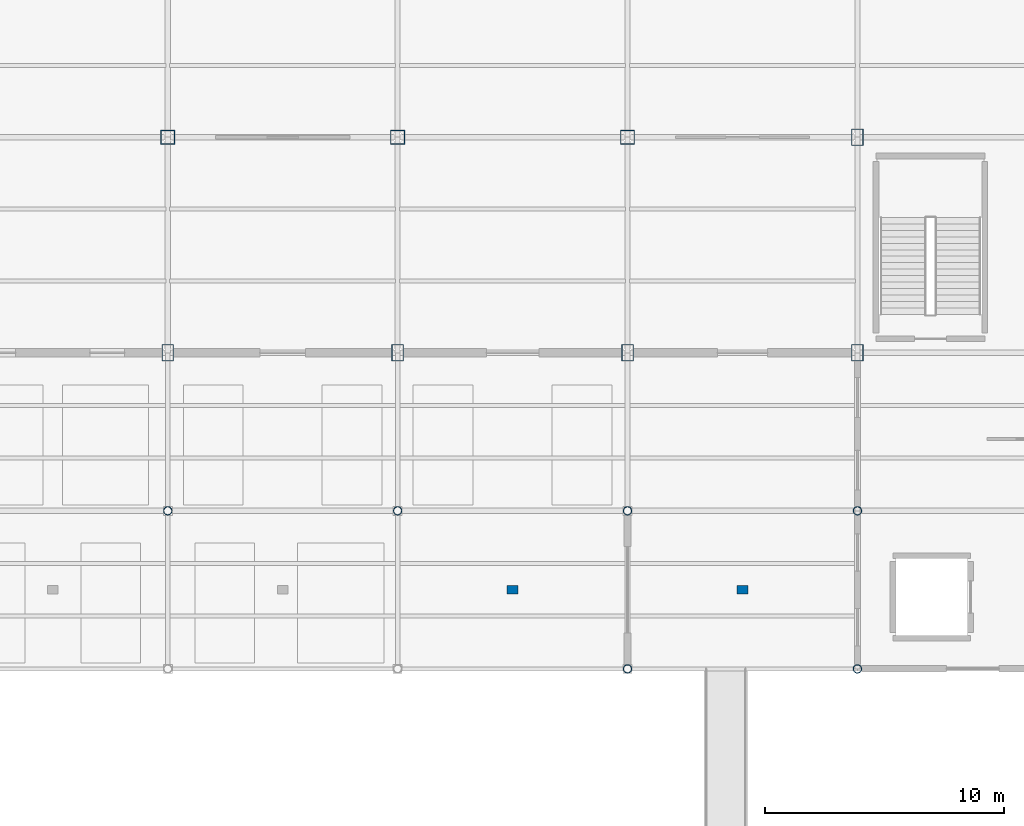
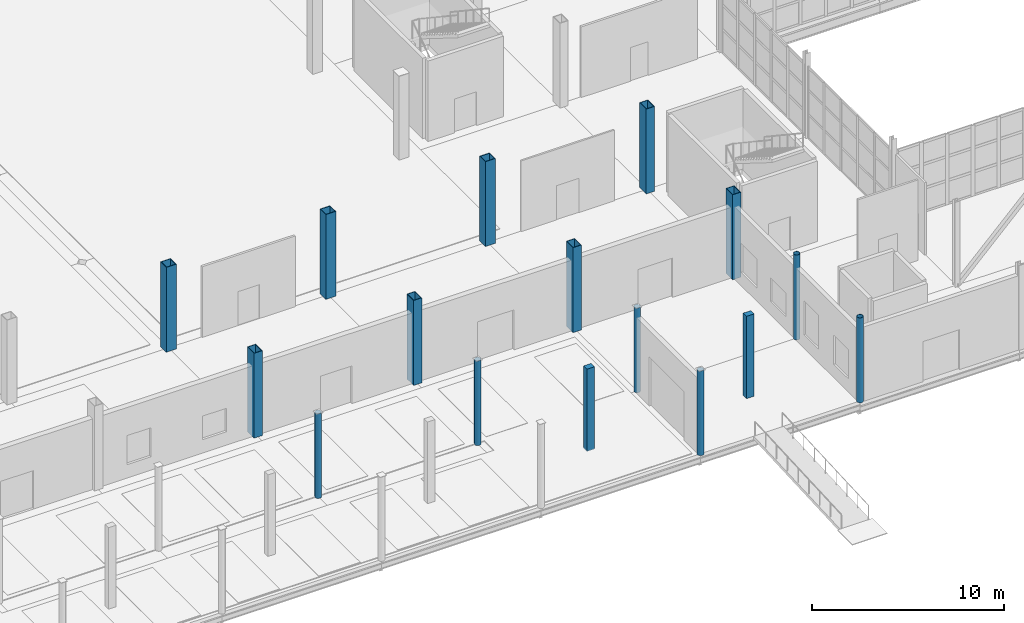
# One storey, part 6 of 85: 16 columns.
"""IFC4 building model written with IfcOpenShell, lengths in metres."""

from ifc_helpers import new_model, si_unit, direction, frame, origin, origin_2d, place, context, subcontext, project, spatial, rectangle, hollow_rectangle, hollow_circle, extrude, material, material_profile, profile_set, type_object, element, save


model = new_model("IFC4")

# Units and contexts
model_context = context("Model", 3, precision=1e-05, world=origin(), true_north=direction((0.0, 1.0)))
body_context = subcontext(model_context, "Body", "Model", "MODEL_VIEW")
ifc_project = project(units=[si_unit("LENGTHUNIT", "METRE"), si_unit("AREAUNIT", "SQUARE_METRE"), si_unit("VOLUMEUNIT", "CUBIC_METRE"), si_unit("PLANEANGLEUNIT", "RADIAN"), si_unit("MASSUNIT", "GRAM", prefix="KILO")], contexts=[model_context])

# Site, building, storey
site_placement = place(None, origin())
site = spatial("IfcSite", under=ifc_project, at=site_placement, CompositionType="ELEMENT")
building_placement = place(site_placement, origin())
building = spatial("IfcBuilding", under=site, at=building_placement, Name="Zarnetskaya Central Station", CompositionType="ELEMENT")
storey_placement = place(building_placement, origin())
storey = spatial("IfcBuildingStorey", under=building, at=storey_placement, Name="L00", CompositionType="ELEMENT", Elevation=0.0)

# Columns
ifc_material_1 = material(Name="Steel S355", Category="steel")
ifc_material_profile_1 = material_profile(ifc_material_1, hollow_rectangle(XDim=0.5, YDim=0.699951171875, WallThickness=0.031982421875, at=origin_2d()), Name="BOX 700x500x32")
ifc_profile_set_1 = profile_set([ifc_material_profile_1], Name="Steel S355")
column_type_1 = type_object("IfcColumnType", Name="COL-V2-HALL", PredefinedType="COLUMN", material=ifc_profile_set_1)
for number, where, z_axis, x_axis, name in (
    (1, (96.0, 13.199951171875, 0.0), (0.0, 0.0, 1.0), (1.0, 0.0, 0.0), "Column L3 L00"),
    (2, (105.60009765625, 13.199951171875, 0.0), (0.0, 0.0, 1.0), (1.0, 0.0, 0.0), "Column M3 L00"),
    (3, (115.199951171875, 13.199951171875, 0.0), (0.0, 0.0, 1.0), (1.0, 0.0, 0.0), "Column N3 L00"),
    (4, (124.800048828125, 13.199951171875, 0.0), (0.0, 0.0, 1.0), (1.0, 0.0, 0.0), "Column P3 L00"),
    (5, (124.800048828125, 22.199951171875, 0.0), (0.0, 0.0, 1.0), (1.0, 0.0, 0.0), "Column P4 L00"),
):
    element("IfcColumn", number, at=place(storey_placement, frame(where, z_axis=z_axis, x_axis=x_axis)), inside=storey, type_object=column_type_1, Name=name, PredefinedType="COLUMN", context=body_context, shape_type="SweptSolid", body=[
        extrude(hollow_rectangle(XDim=0.5, YDim=0.699951171875, WallThickness=0.031982421875, at=origin_2d()), origin(), (0.0, 0.0, 1.0), 5.39990234375),
    ])
ifc_material_profile_2 = material_profile(ifc_material_1, hollow_rectangle(XDim=0.60009765625, YDim=0.60009765625, WallThickness=0.030029296875, at=origin_2d()), Name="BOX 600x600x30")
ifc_profile_set_2 = profile_set([ifc_material_profile_2], Name="Steel S355")
column_type_2 = type_object("IfcColumnType", Name="COL-V2-INT", PredefinedType="COLUMN", material=ifc_profile_set_2)
for number, where, z_axis, x_axis, name in (
    (6, (96.0, 22.199951171875, 0.0), (0.0, 0.0, 1.0), (1.0, 0.0, 0.0), "Column L4 L00"),
    (7, (105.60009765625, 22.199951171875, 0.0), (0.0, 0.0, 1.0), (1.0, 0.0, 0.0), "Column M4 L00"),
    (8, (115.199951171875, 22.199951171875, 0.0), (0.0, 0.0, 1.0), (1.0, 0.0, 0.0), "Column N4 L00"),
):
    element("IfcColumn", number, at=place(storey_placement, frame(where, z_axis=z_axis, x_axis=x_axis)), inside=storey, type_object=column_type_2, Name=name, PredefinedType="COLUMN", context=body_context, shape_type="SweptSolid", body=[
        extrude(hollow_rectangle(XDim=0.60009765625, YDim=0.60009765625, WallThickness=0.030029296875, at=origin_2d()), origin(), (0.0, 0.0, 1.0), 5.39990234375),
    ])
ifc_material_profile_3 = material_profile(ifc_material_1, hollow_circle(Radius=0.177734375, WallThickness=0.01611328125, at=origin_2d()), Name="CHS 355.6x16")
ifc_profile_set_3 = profile_set([ifc_material_profile_3], Name="Steel S355")
column_type_3 = type_object("IfcColumnType", Name="COL-V3-FCAN", PredefinedType="COLUMN", material=ifc_profile_set_3)
for number, where, z_axis, x_axis, name in (
    (9, (96.0, 6.60009765625, 0.0), (0.0, 0.0, 1.0), (1.0, 0.0, 0.0), "Column L2 L00"),
    (10, (105.60009765625, 6.60009765625, 0.0), (0.0, 0.0, 1.0), (1.0, 0.0, 0.0), "Column M2 L00"),
    (11, (115.199951171875, 0.0, 0.0), (0.0, 0.0, 1.0), (1.0, 0.0, 0.0), "Column N1 L00"),
    (12, (115.199951171875, 6.60009765625, 0.0), (0.0, 0.0, 1.0), (1.0, 0.0, 0.0), "Column N2 L00"),
):
    element("IfcColumn", number, at=place(storey_placement, frame(where, z_axis=z_axis, x_axis=x_axis)), inside=storey, type_object=column_type_3, Name=name, PredefinedType="COLUMN", context=body_context, shape_type="SweptSolid", body=[
        extrude(hollow_circle(Radius=0.177734375, WallThickness=0.01611328125, at=origin_2d()), origin(), (0.0, 0.0, 1.0), 5.387939453125),
    ])
for number, where, z_axis, x_axis, name in (
    (13, (124.800048828125, 0.0, 0.0), (0.0, 0.0, 1.0), (1.0, 0.0, 0.0), "Column P1 L00"),
    (14, (124.800048828125, 6.60009765625, 0.0), (0.0, 0.0, 1.0), (1.0, 0.0, 0.0), "Column P2 L00"),
):
    element("IfcColumn", number, at=place(storey_placement, frame(where, z_axis=z_axis, x_axis=x_axis)), inside=storey, type_object=column_type_3, Name=name, PredefinedType="COLUMN", context=body_context, shape_type="SweptSolid", body=[
        extrude(hollow_circle(Radius=0.177734375, WallThickness=0.01611328125, at=origin_2d()), origin(), (0.0, 0.0, 1.0), 5.39990234375),
    ])
ifc_material_2 = material(Name="Precast concrete C40/50", Category="concrete")
ifc_material_profile_4 = material_profile(ifc_material_2, rectangle(XDim=0.449951171875, YDim=0.35009765625, at=origin_2d()), Name="RC PILASTER 450x350")
ifc_profile_set_4 = profile_set([ifc_material_profile_4], Name="Precast concrete C40/50")
column_type_4 = type_object("IfcColumnType", Name="PIL-EAVE-RC", PredefinedType="PILASTER", material=ifc_profile_set_4)
for number, where, z_axis, x_axis, name in (
    (15, (110.39990234375, 3.300048828125, 0.0), (0.0, 0.0, 1.0), (1.0, 0.0, 0.0), "Forecourt colonnade pilaster 5"),
    (16, (120.0, 3.300048828125, 0.0), (0.0, 0.0, 1.0), (1.0, 0.0, 0.0), "Forecourt colonnade pilaster 6"),
):
    element("IfcColumn", number, at=place(storey_placement, frame(where, z_axis=z_axis, x_axis=x_axis)), inside=storey, type_object=column_type_4, Name=name, PredefinedType="PILASTER", context=body_context, shape_type="SweptSolid", body=[
        extrude(rectangle(XDim=0.449951171875, YDim=0.35009765625, at=origin_2d()), origin(), (0.0, 0.0, 1.0), 5.239990234375),
    ])

save(model, "model.ifc")
